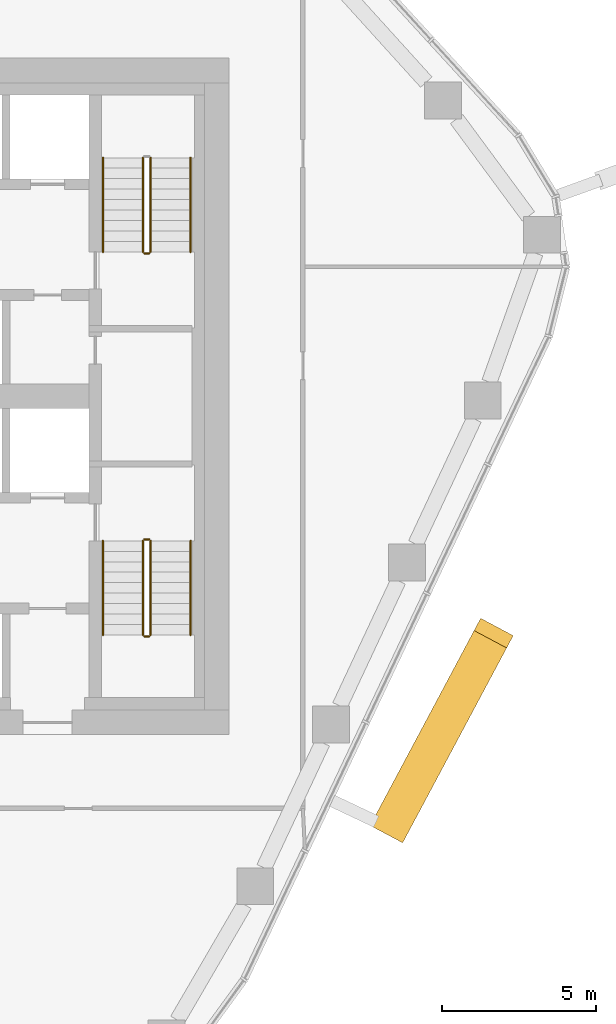
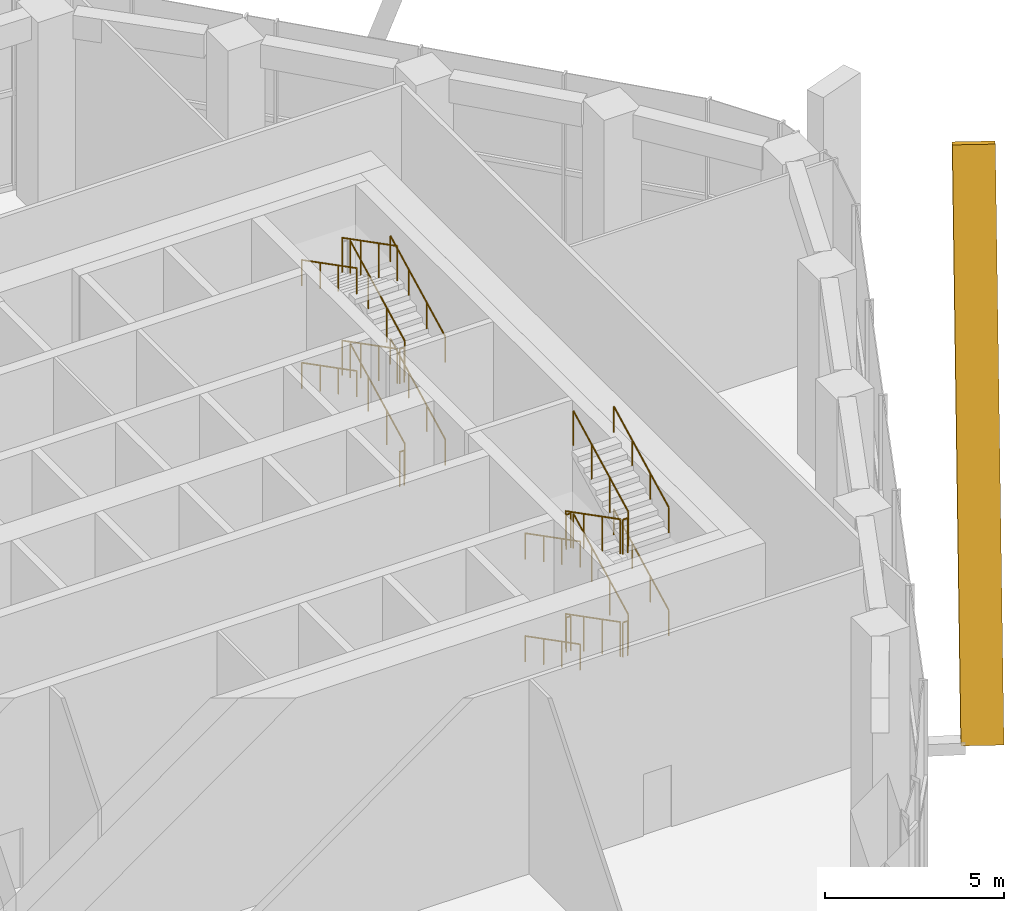
# One storey, part 17 of 20: 22 railings, 1 covering, 1 element without a shape of its own.
"""IFC4 building model written with IfcOpenShell, lengths in metres."""

from ifc_helpers import new_model, si_unit, direction, frame, origin, origin_2d, place, context, subcontext, project, spatial, rectangle, circle, extrude, material, layer, layer_set, material_profile, profile_set, type_object, element, aggregate, save


model = new_model("IFC4")

# Units and contexts
model_context = context("Model", 3, precision=1e-05, world=origin(), true_north=direction((0.0, 1.0)))
body_context = subcontext(model_context, "Body", "Model", "MODEL_VIEW")
ifc_project = project(units=[si_unit("LENGTHUNIT", "METRE"), si_unit("AREAUNIT", "SQUARE_METRE"), si_unit("VOLUMEUNIT", "CUBIC_METRE"), si_unit("PLANEANGLEUNIT", "RADIAN"), si_unit("MASSUNIT", "GRAM", prefix="KILO")], contexts=[model_context])

# Site, building, storey
site_placement = place(None, origin())
site = spatial("IfcSite", under=ifc_project, at=site_placement, CompositionType="ELEMENT")
building_placement = place(site_placement, origin())
building = spatial("IfcBuilding", under=site, at=building_placement, Name="Dongbaek Canopy Tower", CompositionType="ELEMENT")
storey_placement = place(building_placement, frame((0.0, 0.0, 151.60009765625)))
storey = spatial("IfcBuildingStorey", under=building, at=storey_placement, Name="L33", CompositionType="ELEMENT", Elevation=151.60009765625)

# Curtain wall, covering
ifc_material_1 = material(Name="Aluminium 6063-T6 pale anodised", Category="aluminium")
ifc_layer = layer(ifc_material_1, 0.25)
ifc_layer_set = layer_set([ifc_layer], Name="CW-4 sky-lobby curtain wall")
curtain_wall_type = type_object("IfcCurtainWallType", Name="CW-4 sky-lobby curtain wall", PredefinedType="NOTDEFINED", material=ifc_layer_set)
curtain_wall_placement = place(storey_placement, origin())
curtain_wall = element("IfcCurtainWall", 1, at=curtain_wall_placement, inside=storey, type_object=curtain_wall_type, Name="CW-4 curtain wall F5.1", PredefinedType="NOTDEFINED")
ifc_material_2 = material(Name="Aluminium 6063-T6 pale metal fin", Category="aluminium")
ifc_material_profile = material_profile(ifc_material_2, rectangle(XDim=1.199951171875, YDim=0.5, at=origin_2d()), Name="Crease fin CF1 500 x 1200 pale metal")
ifc_profile_set = profile_set([ifc_material_profile], Name="Aluminium 6063-T6 pale metal fin")
covering_type = type_object("IfcCoveringType", Name="Crease fin CF1 500 x 1200 pale metal", PredefinedType="CLADDING", material=ifc_profile_set)
covering_placement = place(storey_placement, frame((19.225341796875, -14.039306640625, -0.22509765625), z_axis=(0.19867464952, 0.372355440209, 0.906575870948), x_axis=(-0.882269220271, 0.470745178375, 0.0)))
covering = element("IfcCovering", 2, at=covering_placement, type_object=covering_type, Name="Crease fin L33 L36 F5", PredefinedType="CLADDING", context=body_context, shape_type="SweptSolid", body=[
    extrude(rectangle(XDim=1.199951171875, YDim=0.5, at=origin_2d()), origin(), (0.0, 0.0, 1.0), 17.025634765625),
])
aggregate(curtain_wall, [covering])

# Railings
ifc_material_3 = material(Name="Stainless steel tube and balusters", Category="steel")
railing_type_1 = type_object("IfcRailingType", Name="Stair guard 1200", PredefinedType="GUARDRAIL", material=ifc_material_3)
railing_1_placement = place(storey_placement, frame((11.449951171875, 4.699951171875, 0.1748046875)))
element("IfcRailing", 3, at=railing_1_placement, inside=storey, type_object=railing_type_1, Name="L33 ST-A stair guard 1", PredefinedType="GUARDRAIL", context=body_context, shape_type="SweptSolid", body=[
    extrude(circle(Radius=0.02392578125, at=origin_2d()), frame((0.0, 0.0, 1.17578125), z_axis=(0.0, 0.889116283586, 0.457681367616), x_axis=(-1.0, 0.0, 0.0)), (0.0, 0.0, 1.0), 3.441650390625),
    extrude(circle(Radius=0.02099609375, at=origin_2d()), origin(), (0.0, 0.0, 1.0), 1.15185546875),
    extrude(circle(Radius=0.02099609375, at=origin_2d()), frame((0.0, 1.02001953125, 0.525146484375)), (0.0, 0.0, 1.0), 1.15185546875),
    extrude(circle(Radius=0.02099609375, at=origin_2d()), frame((0.0, 2.0400390625, 1.050048828125)), (0.0, 0.0, 1.0), 1.15185546875),
    extrude(circle(Radius=0.02099609375, at=origin_2d()), frame((0.0, 3.06005859375, 1.5751953125)), (0.0, 0.0, 1.0), 1.15185546875),
])
railing_2_placement = place(storey_placement, frame((11.199951171875, 7.760009765625, 1.9248046875)))
element("IfcRailing", 4, at=railing_2_placement, inside=storey, type_object=railing_type_1, Name="L33 ST-A stair guard 3", PredefinedType="GUARDRAIL", context=body_context, shape_type="SweptSolid", body=[
    extrude(circle(Radius=0.02392578125, at=origin_2d()), frame((0.0, 0.0, 1.17578125), z_axis=(0.0, -0.889116283586, 0.457681367616), x_axis=(1.0, 0.0, 0.0)), (0.0, 0.0, 1.0), 3.441650390625),
    extrude(circle(Radius=0.02099609375, at=origin_2d()), origin(), (0.0, 0.0, 1.0), 1.15185546875),
    extrude(circle(Radius=0.02099609375, at=origin_2d()), frame((0.0, -1.02001953125, 0.525146484375)), (0.0, 0.0, 1.0), 1.15185546875),
    extrude(circle(Radius=0.02099609375, at=origin_2d()), frame((0.0, -2.0400390625, 1.050048828125)), (0.0, 0.0, 1.0), 1.15185546875),
    extrude(circle(Radius=0.02099609375, at=origin_2d()), frame((0.0, -3.06005859375, 1.5751953125)), (0.0, 0.0, 1.0), 1.15185546875),
])
railing_3_placement = place(storey_placement, frame((11.39990234375, 4.64990234375, 3.5)))
element("IfcRailing", 5, at=railing_3_placement, inside=storey, type_object=railing_type_1, Name="L33 ST-A stair guard 4", PredefinedType="GUARDRAIL", context=body_context, shape_type="SweptSolid", body=[
    extrude(circle(Radius=0.02392578125, at=origin_2d()), frame((0.0, 0.0, 1.17578125), z_axis=(-1.0, 0.0, 0.0), x_axis=(0.0, -1.0, 0.0)), (0.0, 0.0, 1.0), 0.14990234375),
    extrude(circle(Radius=0.02099609375, at=origin_2d()), origin(), (0.0, 0.0, 1.0), 1.15185546875),
    extrude(circle(Radius=0.02099609375, at=origin_2d()), frame((-0.14990234375, 0.0, 0.0)), (0.0, 0.0, 1.0), 1.15185546875),
])
railing_4_placement = place(storey_placement, frame((11.449951171875, 4.699951171875, 3.6748046875)))
element("IfcRailing", 6, at=railing_4_placement, inside=storey, type_object=railing_type_1, Name="L33 ST-A stair guard 5", PredefinedType="GUARDRAIL", context=body_context, shape_type="SweptSolid", body=[
    extrude(circle(Radius=0.02392578125, at=origin_2d()), frame((0.0, 0.0, 1.17578125), z_axis=(0.0, 0.889116283586, 0.457681367616), x_axis=(-1.0, 0.0, 0.0)), (0.0, 0.0, 1.0), 3.441650390625),
    extrude(circle(Radius=0.02099609375, at=origin_2d()), origin(), (0.0, 0.0, 1.0), 1.15185546875),
    extrude(circle(Radius=0.02099609375, at=origin_2d()), frame((0.0, 1.02001953125, 0.525146484375)), (0.0, 0.0, 1.0), 1.15185546875),
    extrude(circle(Radius=0.02099609375, at=origin_2d()), frame((0.0, 2.0400390625, 1.050048828125)), (0.0, 0.0, 1.0), 1.15185546875),
    extrude(circle(Radius=0.02099609375, at=origin_2d()), frame((0.0, 3.06005859375, 1.5751953125)), (0.0, 0.0, 1.0), 1.15185546875),
])
railing_5_placement = place(storey_placement, frame((11.199951171875, 7.760009765625, 5.4248046875)))
element("IfcRailing", 7, at=railing_5_placement, inside=storey, type_object=railing_type_1, Name="L33 ST-A stair guard 7", PredefinedType="GUARDRAIL", context=body_context, shape_type="SweptSolid", body=[
    extrude(circle(Radius=0.02392578125, at=origin_2d()), frame((0.0, 0.0, 1.17578125), z_axis=(0.0, -0.889116283586, 0.457681367616), x_axis=(1.0, 0.0, 0.0)), (0.0, 0.0, 1.0), 3.441650390625),
    extrude(circle(Radius=0.02099609375, at=origin_2d()), origin(), (0.0, 0.0, 1.0), 1.15185546875),
    extrude(circle(Radius=0.02099609375, at=origin_2d()), frame((0.0, -1.02001953125, 0.525146484375)), (0.0, 0.0, 1.0), 1.15185546875),
    extrude(circle(Radius=0.02099609375, at=origin_2d()), frame((0.0, -2.0400390625, 1.050048828125)), (0.0, 0.0, 1.0), 1.15185546875),
    extrude(circle(Radius=0.02099609375, at=origin_2d()), frame((0.0, -3.06005859375, 1.5751953125)), (0.0, 0.0, 1.0), 1.15185546875),
])
railing_6_placement = place(storey_placement, frame((11.39990234375, 4.64990234375, 0.0)))
element("IfcRailing", 8, at=railing_6_placement, inside=storey, type_object=railing_type_1, Name="L33 ST-A stair guard 8", PredefinedType="GUARDRAIL", context=body_context, shape_type="SweptSolid", body=[
    extrude(circle(Radius=0.02392578125, at=origin_2d()), frame((0.0, 0.0, 1.17578125), z_axis=(-1.0, 0.0, 0.0), x_axis=(0.0, -1.0, 0.0)), (0.0, 0.0, 1.0), 0.14990234375),
    extrude(circle(Radius=0.02099609375, at=origin_2d()), origin(), (0.0, 0.0, 1.0), 1.15185546875),
    extrude(circle(Radius=0.02099609375, at=origin_2d()), frame((-0.14990234375, 0.0, 0.0)), (0.0, 0.0, 1.0), 1.15185546875),
])
railing_7_placement = place(storey_placement, frame((11.199951171875, -4.699951171875, 0.1748046875)))
element("IfcRailing", 9, at=railing_7_placement, inside=storey, type_object=railing_type_1, Name="L33 ST-B stair guard 1", PredefinedType="GUARDRAIL", context=body_context, shape_type="SweptSolid", body=[
    extrude(circle(Radius=0.02392578125, at=origin_2d()), frame((0.0, 0.0, 1.17578125), z_axis=(0.0, -0.889116283586, 0.457681367616), x_axis=(1.0, 0.0, 0.0)), (0.0, 0.0, 1.0), 3.441650390625),
    extrude(circle(Radius=0.02099609375, at=origin_2d()), origin(), (0.0, 0.0, 1.0), 1.15185546875),
    extrude(circle(Radius=0.02099609375, at=origin_2d()), frame((0.0, -1.02001953125, 0.525146484375)), (0.0, 0.0, 1.0), 1.15185546875),
    extrude(circle(Radius=0.02099609375, at=origin_2d()), frame((0.0, -2.0400390625, 1.050048828125)), (0.0, 0.0, 1.0), 1.15185546875),
    extrude(circle(Radius=0.02099609375, at=origin_2d()), frame((0.0, -3.06005859375, 1.5751953125)), (0.0, 0.0, 1.0), 1.15185546875),
])
railing_8_placement = place(storey_placement, frame((11.25, -7.81005859375, 1.75)))
element("IfcRailing", 10, at=railing_8_placement, inside=storey, type_object=railing_type_1, Name="L33 ST-B stair guard 2", PredefinedType="GUARDRAIL", context=body_context, shape_type="SweptSolid", body=[
    extrude(circle(Radius=0.02392578125, at=origin_2d()), frame((0.0, 0.0, 1.17578125), z_axis=(1.0, 0.0, 0.0), x_axis=(0.0, 1.0, 0.0)), (0.0, 0.0, 1.0), 0.14990234375),
    extrude(circle(Radius=0.02099609375, at=origin_2d()), origin(), (0.0, 0.0, 1.0), 1.15185546875),
    extrude(circle(Radius=0.02099609375, at=origin_2d()), frame((0.14990234375, 0.0, 0.0)), (0.0, 0.0, 1.0), 1.15185546875),
])
railing_9_placement = place(storey_placement, frame((11.449951171875, -7.760009765625, 1.9248046875)))
element("IfcRailing", 11, at=railing_9_placement, inside=storey, type_object=railing_type_1, Name="L33 ST-B stair guard 3", PredefinedType="GUARDRAIL", context=body_context, shape_type="SweptSolid", body=[
    extrude(circle(Radius=0.02392578125, at=origin_2d()), frame((0.0, 0.0, 1.17578125), z_axis=(0.0, 0.889116283586, 0.457681367616), x_axis=(-1.0, 0.0, 0.0)), (0.0, 0.0, 1.0), 3.441650390625),
    extrude(circle(Radius=0.02099609375, at=origin_2d()), origin(), (0.0, 0.0, 1.0), 1.15185546875),
    extrude(circle(Radius=0.02099609375, at=origin_2d()), frame((0.0, 1.02001953125, 0.525146484375)), (0.0, 0.0, 1.0), 1.15185546875),
    extrude(circle(Radius=0.02099609375, at=origin_2d()), frame((0.0, 2.0400390625, 1.050048828125)), (0.0, 0.0, 1.0), 1.15185546875),
    extrude(circle(Radius=0.02099609375, at=origin_2d()), frame((0.0, 3.06005859375, 1.5751953125)), (0.0, 0.0, 1.0), 1.15185546875),
])
railing_10_placement = place(storey_placement, frame((11.25, -4.64990234375, 3.5)))
element("IfcRailing", 12, at=railing_10_placement, inside=storey, type_object=railing_type_1, Name="L33 ST-B stair guard 4", PredefinedType="GUARDRAIL", context=body_context, shape_type="SweptSolid", body=[
    extrude(circle(Radius=0.02392578125, at=origin_2d()), frame((0.0, 0.0, 1.17578125), z_axis=(1.0, 0.0, 0.0), x_axis=(0.0, 1.0, 0.0)), (0.0, 0.0, 1.0), 0.14990234375),
    extrude(circle(Radius=0.02099609375, at=origin_2d()), origin(), (0.0, 0.0, 1.0), 1.15185546875),
    extrude(circle(Radius=0.02099609375, at=origin_2d()), frame((0.14990234375, 0.0, 0.0)), (0.0, 0.0, 1.0), 1.15185546875),
])
railing_11_placement = place(storey_placement, frame((11.199951171875, -4.699951171875, 3.6748046875)))
element("IfcRailing", 13, at=railing_11_placement, inside=storey, type_object=railing_type_1, Name="L33 ST-B stair guard 5", PredefinedType="GUARDRAIL", context=body_context, shape_type="SweptSolid", body=[
    extrude(circle(Radius=0.02392578125, at=origin_2d()), frame((0.0, 0.0, 1.17578125), z_axis=(0.0, -0.889116283586, 0.457681367616), x_axis=(1.0, 0.0, 0.0)), (0.0, 0.0, 1.0), 3.441650390625),
    extrude(circle(Radius=0.02099609375, at=origin_2d()), origin(), (0.0, 0.0, 1.0), 1.15185546875),
    extrude(circle(Radius=0.02099609375, at=origin_2d()), frame((0.0, -1.02001953125, 0.525146484375)), (0.0, 0.0, 1.0), 1.15185546875),
    extrude(circle(Radius=0.02099609375, at=origin_2d()), frame((0.0, -2.0400390625, 1.050048828125)), (0.0, 0.0, 1.0), 1.15185546875),
    extrude(circle(Radius=0.02099609375, at=origin_2d()), frame((0.0, -3.06005859375, 1.5751953125)), (0.0, 0.0, 1.0), 1.15185546875),
])
railing_12_placement = place(storey_placement, frame((11.25, -7.81005859375, 5.25)))
element("IfcRailing", 14, at=railing_12_placement, inside=storey, type_object=railing_type_1, Name="L33 ST-B stair guard 6", PredefinedType="GUARDRAIL", context=body_context, shape_type="SweptSolid", body=[
    extrude(circle(Radius=0.02392578125, at=origin_2d()), frame((0.0, 0.0, 1.17578125), z_axis=(1.0, 0.0, 0.0), x_axis=(0.0, 1.0, 0.0)), (0.0, 0.0, 1.0), 0.14990234375),
    extrude(circle(Radius=0.02099609375, at=origin_2d()), origin(), (0.0, 0.0, 1.0), 1.15185546875),
    extrude(circle(Radius=0.02099609375, at=origin_2d()), frame((0.14990234375, 0.0, 0.0)), (0.0, 0.0, 1.0), 1.15185546875),
])
railing_13_placement = place(storey_placement, frame((11.449951171875, -7.760009765625, 5.4248046875)))
element("IfcRailing", 15, at=railing_13_placement, inside=storey, type_object=railing_type_1, Name="L33 ST-B stair guard 7", PredefinedType="GUARDRAIL", context=body_context, shape_type="SweptSolid", body=[
    extrude(circle(Radius=0.02392578125, at=origin_2d()), frame((0.0, 0.0, 1.17578125), z_axis=(0.0, 0.889116283586, 0.457681367616), x_axis=(-1.0, 0.0, 0.0)), (0.0, 0.0, 1.0), 3.441650390625),
    extrude(circle(Radius=0.02099609375, at=origin_2d()), origin(), (0.0, 0.0, 1.0), 1.15185546875),
    extrude(circle(Radius=0.02099609375, at=origin_2d()), frame((0.0, 1.02001953125, 0.525146484375)), (0.0, 0.0, 1.0), 1.15185546875),
    extrude(circle(Radius=0.02099609375, at=origin_2d()), frame((0.0, 2.0400390625, 1.050048828125)), (0.0, 0.0, 1.0), 1.15185546875),
    extrude(circle(Radius=0.02099609375, at=origin_2d()), frame((0.0, 3.06005859375, 1.5751953125)), (0.0, 0.0, 1.0), 1.15185546875),
])
railing_14_placement = place(storey_placement, frame((11.25, -4.64990234375, 0.0)))
element("IfcRailing", 16, at=railing_14_placement, inside=storey, type_object=railing_type_1, Name="L33 ST-B stair guard 8", PredefinedType="GUARDRAIL", context=body_context, shape_type="SweptSolid", body=[
    extrude(circle(Radius=0.02392578125, at=origin_2d()), frame((0.0, 0.0, 1.17578125), z_axis=(1.0, 0.0, 0.0), x_axis=(0.0, 1.0, 0.0)), (0.0, 0.0, 1.0), 0.14990234375),
    extrude(circle(Radius=0.02099609375, at=origin_2d()), origin(), (0.0, 0.0, 1.0), 1.15185546875),
    extrude(circle(Radius=0.02099609375, at=origin_2d()), frame((0.14990234375, 0.0, 0.0)), (0.0, 0.0, 1.0), 1.15185546875),
])
ifc_material_4 = material(Name="Stainless steel tube", Category="steel")
railing_type_2 = type_object("IfcRailingType", Name="Stair handrail 900", PredefinedType="HANDRAIL", material=ifc_material_4)
railing_15_placement = place(storey_placement, frame((12.75, 4.699951171875, 0.1748046875)))
element("IfcRailing", 17, at=railing_15_placement, inside=storey, type_object=railing_type_2, Name="L33 ST-A stair handrail 1", PredefinedType="HANDRAIL", context=body_context, shape_type="SweptSolid", body=[
    extrude(circle(Radius=0.02392578125, at=origin_2d()), frame((0.0, 0.0, 0.8759765625), z_axis=(0.0, 0.889116283586, 0.457681367616), x_axis=(-1.0, 0.0, 0.0)), (0.0, 0.0, 1.0), 3.441650390625),
    extrude(circle(Radius=0.02099609375, at=origin_2d()), origin(), (0.0, 0.0, 1.0), 0.851806640625),
    extrude(circle(Radius=0.02099609375, at=origin_2d()), frame((0.0, 1.02001953125, 0.525146484375)), (0.0, 0.0, 1.0), 0.851806640625),
    extrude(circle(Radius=0.02099609375, at=origin_2d()), frame((0.0, 2.0400390625, 1.050048828125)), (0.0, 0.0, 1.0), 0.851806640625),
    extrude(circle(Radius=0.02099609375, at=origin_2d()), frame((0.0, 3.06005859375, 1.5751953125)), (0.0, 0.0, 1.0), 0.851806640625),
])
railing_16_placement = place(storey_placement, frame((9.89990234375, 7.760009765625, 1.9248046875)))
element("IfcRailing", 18, at=railing_16_placement, inside=storey, type_object=railing_type_2, Name="L33 ST-A stair handrail 2", PredefinedType="HANDRAIL", context=body_context, shape_type="SweptSolid", body=[
    extrude(circle(Radius=0.02392578125, at=origin_2d()), frame((0.0, 0.0, 0.8759765625), z_axis=(0.0, -0.889116283586, 0.457681367616), x_axis=(1.0, 0.0, 0.0)), (0.0, 0.0, 1.0), 3.441650390625),
    extrude(circle(Radius=0.02099609375, at=origin_2d()), origin(), (0.0, 0.0, 1.0), 0.851806640625),
    extrude(circle(Radius=0.02099609375, at=origin_2d()), frame((0.0, -1.02001953125, 0.525146484375)), (0.0, 0.0, 1.0), 0.851806640625),
    extrude(circle(Radius=0.02099609375, at=origin_2d()), frame((0.0, -2.0400390625, 1.050048828125)), (0.0, 0.0, 1.0), 0.851806640625),
    extrude(circle(Radius=0.02099609375, at=origin_2d()), frame((0.0, -3.06005859375, 1.5751953125)), (0.0, 0.0, 1.0), 0.851806640625),
])
railing_17_placement = place(storey_placement, frame((12.75, 4.699951171875, 3.6748046875)))
element("IfcRailing", 19, at=railing_17_placement, inside=storey, type_object=railing_type_2, Name="L33 ST-A stair handrail 3", PredefinedType="HANDRAIL", context=body_context, shape_type="SweptSolid", body=[
    extrude(circle(Radius=0.02392578125, at=origin_2d()), frame((0.0, 0.0, 0.8759765625), z_axis=(0.0, 0.889116283586, 0.457681367616), x_axis=(-1.0, 0.0, 0.0)), (0.0, 0.0, 1.0), 3.441650390625),
    extrude(circle(Radius=0.02099609375, at=origin_2d()), origin(), (0.0, 0.0, 1.0), 0.851806640625),
    extrude(circle(Radius=0.02099609375, at=origin_2d()), frame((0.0, 1.02001953125, 0.525146484375)), (0.0, 0.0, 1.0), 0.851806640625),
    extrude(circle(Radius=0.02099609375, at=origin_2d()), frame((0.0, 2.0400390625, 1.050048828125)), (0.0, 0.0, 1.0), 0.851806640625),
    extrude(circle(Radius=0.02099609375, at=origin_2d()), frame((0.0, 3.06005859375, 1.5751953125)), (0.0, 0.0, 1.0), 0.851806640625),
])
for number, where, name in (
    (20, (9.89990234375, 7.760009765625, 5.4248046875), "L33 ST-A stair handrail 4"),
    (21, (9.89990234375, -4.699951171875, 0.1748046875), "L33 ST-B stair handrail 1"),
):
    element("IfcRailing", number, at=place(storey_placement, frame(where)), inside=storey, type_object=railing_type_2, Name=name, PredefinedType="HANDRAIL", context=body_context, shape_type="SweptSolid", body=[
        extrude(circle(Radius=0.02392578125, at=origin_2d()), frame((0.0, 0.0, 0.8759765625), z_axis=(0.0, -0.889116283586, 0.457681367616), x_axis=(1.0, 0.0, 0.0)), (0.0, 0.0, 1.0), 3.441650390625),
        extrude(circle(Radius=0.02099609375, at=origin_2d()), origin(), (0.0, 0.0, 1.0), 0.851806640625),
        extrude(circle(Radius=0.02099609375, at=origin_2d()), frame((0.0, -1.02001953125, 0.525146484375)), (0.0, 0.0, 1.0), 0.851806640625),
        extrude(circle(Radius=0.02099609375, at=origin_2d()), frame((0.0, -2.0400390625, 1.050048828125)), (0.0, 0.0, 1.0), 0.851806640625),
        extrude(circle(Radius=0.02099609375, at=origin_2d()), frame((0.0, -3.06005859375, 1.5751953125)), (0.0, 0.0, 1.0), 0.851806640625),
    ])
railing_18_placement = place(storey_placement, frame((12.75, -7.760009765625, 1.9248046875)))
element("IfcRailing", 22, at=railing_18_placement, inside=storey, type_object=railing_type_2, Name="L33 ST-B stair handrail 2", PredefinedType="HANDRAIL", context=body_context, shape_type="SweptSolid", body=[
    extrude(circle(Radius=0.02392578125, at=origin_2d()), frame((0.0, 0.0, 0.8759765625), z_axis=(0.0, 0.889116283586, 0.457681367616), x_axis=(-1.0, 0.0, 0.0)), (0.0, 0.0, 1.0), 3.441650390625),
    extrude(circle(Radius=0.02099609375, at=origin_2d()), origin(), (0.0, 0.0, 1.0), 0.851806640625),
    extrude(circle(Radius=0.02099609375, at=origin_2d()), frame((0.0, 1.02001953125, 0.525146484375)), (0.0, 0.0, 1.0), 0.851806640625),
    extrude(circle(Radius=0.02099609375, at=origin_2d()), frame((0.0, 2.0400390625, 1.050048828125)), (0.0, 0.0, 1.0), 0.851806640625),
    extrude(circle(Radius=0.02099609375, at=origin_2d()), frame((0.0, 3.06005859375, 1.5751953125)), (0.0, 0.0, 1.0), 0.851806640625),
])
railing_19_placement = place(storey_placement, frame((9.89990234375, -4.699951171875, 3.6748046875)))
element("IfcRailing", 23, at=railing_19_placement, inside=storey, type_object=railing_type_2, Name="L33 ST-B stair handrail 3", PredefinedType="HANDRAIL", context=body_context, shape_type="SweptSolid", body=[
    extrude(circle(Radius=0.02392578125, at=origin_2d()), frame((0.0, 0.0, 0.8759765625), z_axis=(0.0, -0.889116283586, 0.457681367616), x_axis=(1.0, 0.0, 0.0)), (0.0, 0.0, 1.0), 3.441650390625),
    extrude(circle(Radius=0.02099609375, at=origin_2d()), origin(), (0.0, 0.0, 1.0), 0.851806640625),
    extrude(circle(Radius=0.02099609375, at=origin_2d()), frame((0.0, -1.02001953125, 0.525146484375)), (0.0, 0.0, 1.0), 0.851806640625),
    extrude(circle(Radius=0.02099609375, at=origin_2d()), frame((0.0, -2.0400390625, 1.050048828125)), (0.0, 0.0, 1.0), 0.851806640625),
    extrude(circle(Radius=0.02099609375, at=origin_2d()), frame((0.0, -3.06005859375, 1.5751953125)), (0.0, 0.0, 1.0), 0.851806640625),
])
railing_20_placement = place(storey_placement, frame((12.75, -7.760009765625, 5.4248046875)))
element("IfcRailing", 24, at=railing_20_placement, inside=storey, type_object=railing_type_2, Name="L33 ST-B stair handrail 4", PredefinedType="HANDRAIL", context=body_context, shape_type="SweptSolid", body=[
    extrude(circle(Radius=0.02392578125, at=origin_2d()), frame((0.0, 0.0, 0.8759765625), z_axis=(0.0, 0.889116283586, 0.457681367616), x_axis=(-1.0, 0.0, 0.0)), (0.0, 0.0, 1.0), 3.441650390625),
    extrude(circle(Radius=0.02099609375, at=origin_2d()), origin(), (0.0, 0.0, 1.0), 0.851806640625),
    extrude(circle(Radius=0.02099609375, at=origin_2d()), frame((0.0, 1.02001953125, 0.525146484375)), (0.0, 0.0, 1.0), 0.851806640625),
    extrude(circle(Radius=0.02099609375, at=origin_2d()), frame((0.0, 2.0400390625, 1.050048828125)), (0.0, 0.0, 1.0), 0.851806640625),
    extrude(circle(Radius=0.02099609375, at=origin_2d()), frame((0.0, 3.06005859375, 1.5751953125)), (0.0, 0.0, 1.0), 0.851806640625),
])

save(model, "model.ifc")
